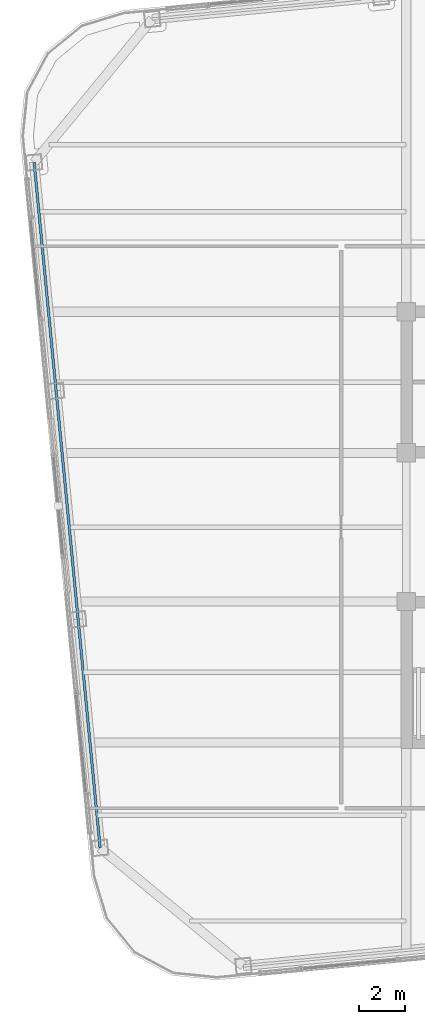
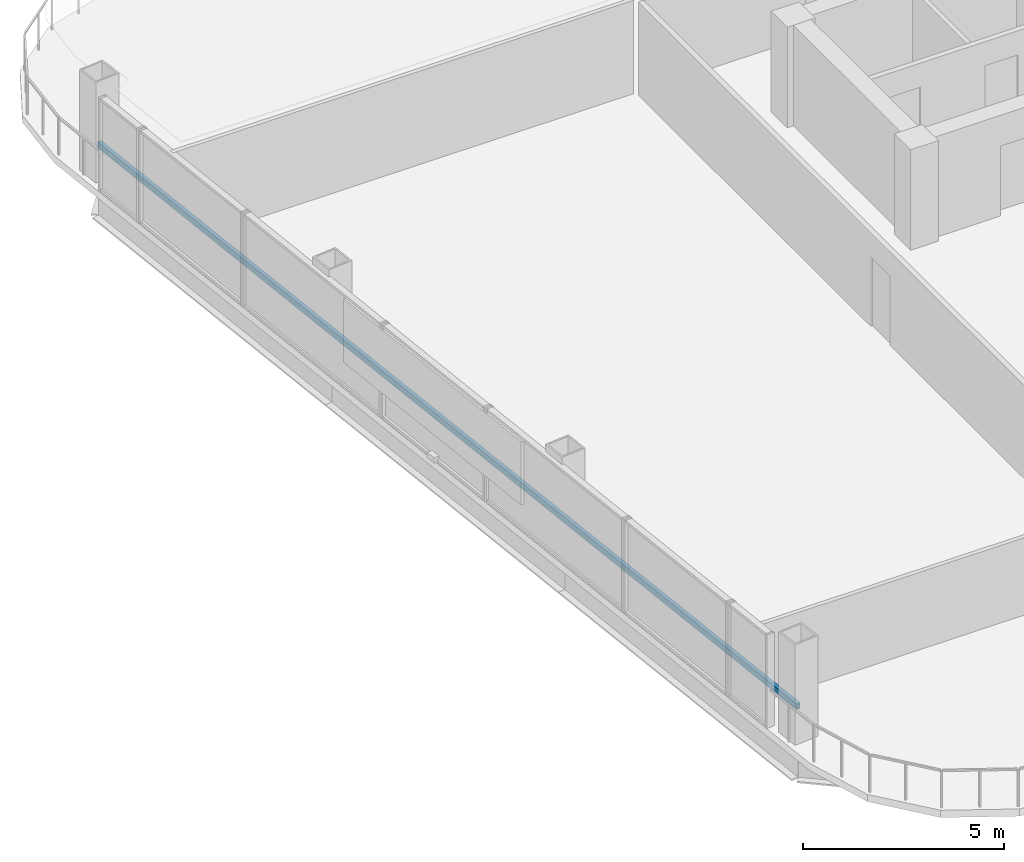
# One storey, part 9 of 28: 1 member.
"""IFC4 building model written with IfcOpenShell, lengths in metres."""

from ifc_helpers import new_model, si_unit, direction, frame, origin, origin_2d, place, context, subcontext, project, spatial, hollow_rectangle, extrude, material, material_profile, profile_set, type_object, element, save


model = new_model("IFC4")

# Units and contexts
model_context = context("Model", 3, precision=1e-05, world=origin(), true_north=direction((0.0, 1.0)))
body_context = subcontext(model_context, "Body", "Model", "MODEL_VIEW")
ifc_project = project(units=[si_unit("LENGTHUNIT", "METRE"), si_unit("AREAUNIT", "SQUARE_METRE"), si_unit("VOLUMEUNIT", "CUBIC_METRE"), si_unit("PLANEANGLEUNIT", "RADIAN"), si_unit("MASSUNIT", "GRAM", prefix="KILO")], contexts=[model_context])

# Site, building, storey
site_placement = place(None, origin())
site = spatial("IfcSite", under=ifc_project, at=site_placement, CompositionType="ELEMENT")
building_placement = place(site_placement, origin())
building = spatial("IfcBuilding", under=site, at=building_placement, Name="Qhalaya Broadcast Tower", CompositionType="ELEMENT")
storey_placement = place(building_placement, frame((0.0, 0.0, 159.199951171875)))
storey = spatial("IfcBuildingStorey", under=building, at=storey_placement, Name="L46", CompositionType="ELEMENT", Elevation=159.199951171875)

# Member
ifc_material = material(Name="Fired Architectural Terracotta", Category="masonry")
ifc_material_profile = material_profile(ifc_material, hollow_rectangle(XDim=0.110107421875, YDim=0.179931640625, WallThickness=0.01806640625, at=origin_2d()), Name="TB-BAG 110x180x18")
ifc_profile_set = profile_set([ifc_material_profile], Name="Fired Architectural Terracotta")
member_type = type_object("IfcMemberType", Name="Fired Terracotta Facade Baguette Member TB1", PredefinedType="USERDEFINED", material=ifc_profile_set)
member_placement = place(storey_placement, frame((-25.52783203125, 16.44189453125, 0.84912109375), z_axis=(0.095844031643, -0.995396364067, 0.0), x_axis=(0.995396364067, 0.095844031643, 0.0)))
element("IfcMember", 1, at=member_placement, inside=storey, type_object=member_type, Name="L46 Terracotta Baguette Feature Rail W", ObjectType="BAGUETTE", PredefinedType="USERDEFINED", context=body_context, shape_type="SweptSolid", body=[
    extrude(hollow_rectangle(XDim=0.110107421875, YDim=0.179931640625, WallThickness=0.01806640625, at=origin_2d()), origin(), (0.0, 0.0, 1.0), 29.89990234375),
])

save(model, "model.ifc")
